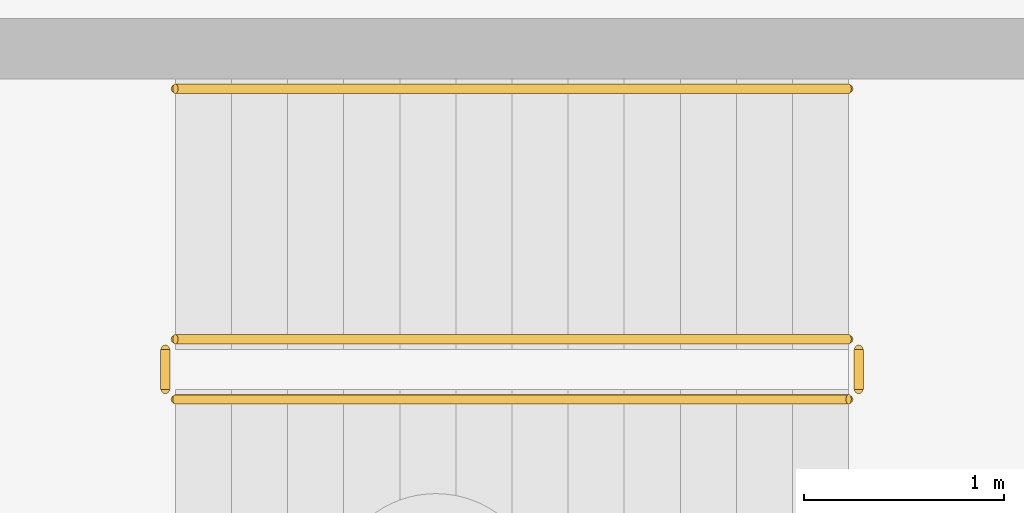
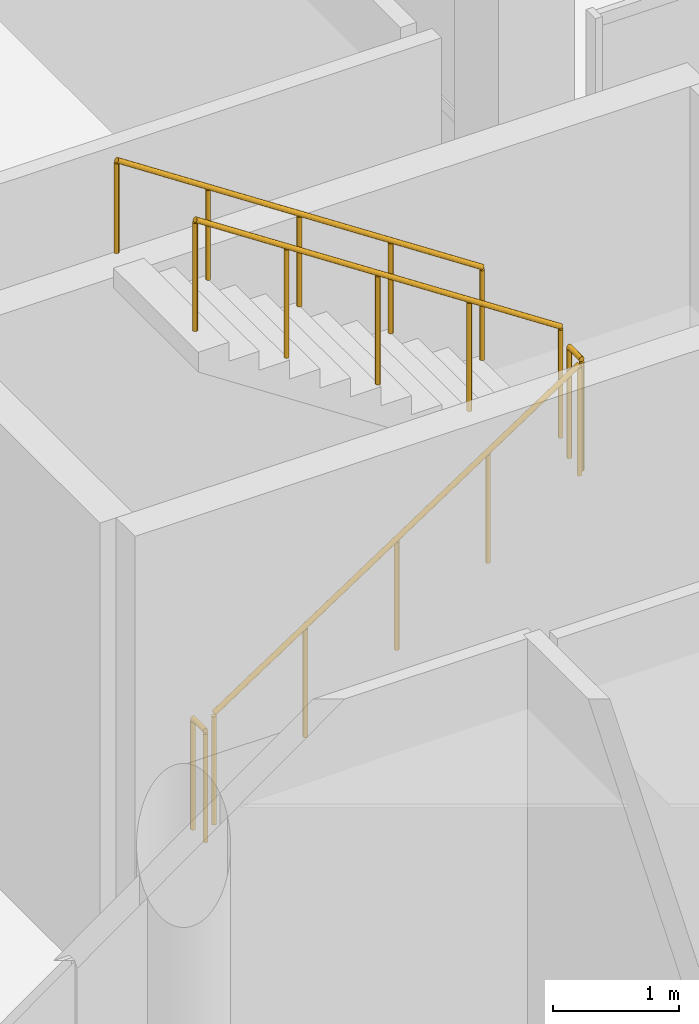
# One storey, part 274 of 285: 5 railings.
"""IFC4 building model written with IfcOpenShell, lengths in metres."""

from ifc_helpers import new_model, si_unit, direction, frame, origin, origin_2d, place, context, subcontext, project, spatial, circle, extrude, material, layer, layer_set, type_object, element, save


model = new_model("IFC4")

# Units and contexts
model_context = context("Model", 3, precision=1e-05, world=origin(), true_north=direction((0.0, 1.0)))
body_context = subcontext(model_context, "Body", "Model", "MODEL_VIEW")
ifc_project = project(units=[si_unit("LENGTHUNIT", "METRE"), si_unit("AREAUNIT", "SQUARE_METRE"), si_unit("VOLUMEUNIT", "CUBIC_METRE"), si_unit("PLANEANGLEUNIT", "RADIAN"), si_unit("MASSUNIT", "GRAM", prefix="KILO")], contexts=[model_context])

# Site, building, storey
site_placement = place(None, origin())
site = spatial("IfcSite", under=ifc_project, at=site_placement, CompositionType="ELEMENT")
building_placement = place(site_placement, origin())
building = spatial("IfcBuilding", under=site, at=building_placement, Name="Solanera Park Tramway Depot", CompositionType="ELEMENT")
storey_placement = place(building_placement, origin())
storey = spatial("IfcBuildingStorey", under=building, at=storey_placement, Name="L00", CompositionType="ELEMENT", Elevation=0.0)

# Railings
ifc_material_1 = material(Name="Brushed stainless steel 316 handrail", Category="steel")
ifc_layer_1 = layer(ifc_material_1, 0.050048828125)
ifc_layer_set_1 = layer_set([ifc_layer_1], Name="Brushed stainless steel 316 handrail")
railing_type_1 = type_object("IfcRailingType", Name="Stair Pitch Tubular Handrail 920", PredefinedType="HANDRAIL", material=ifc_layer_set_1)
railing_1_placement = place(storey_placement, frame((120.860107421875, 23.050048828125, 2.584716796875)))
element("IfcRailing", 1, at=railing_1_placement, inside=storey, type_object=railing_type_1, Name="ST-01 L00 Pitch Handrail 2", PredefinedType="HANDRAIL", context=body_context, shape_type="SweptSolid", body=[
    extrude(circle(Radius=0.02392578125, at=origin_2d()), frame((0.0, 0.0, 0.89599609375), z_axis=(-0.834876476806, 0.0, 0.550437342915), x_axis=(0.0, -1.0, 0.0)), (0.0, 0.0, 1.0), 4.024658203125),
    extrude(circle(Radius=0.02099609375, at=origin_2d()), origin(), (0.0, 0.0, 1.0), 0.871826171875),
    extrude(circle(Radius=0.02099609375, at=origin_2d()), frame((-0.840087890625, 0.0, 0.5537109375)), (0.0, 0.0, 1.0), 0.871826171875),
    extrude(circle(Radius=0.02099609375, at=origin_2d()), frame((-1.68017578125, 0.0, 1.107666015625)), (0.0, 0.0, 1.0), 0.871826171875),
    extrude(circle(Radius=0.02099609375, at=origin_2d()), frame((-2.52001953125, 0.0, 1.66162109375)), (0.0, 0.0, 1.0), 0.871826171875),
    extrude(circle(Radius=0.02099609375, at=origin_2d()), frame((-3.360107421875, 0.0, 2.21533203125)), (0.0, 0.0, 1.0), 0.871826171875),
])
ifc_material_2 = material(Name="Steel AS/NZS 1163 Grade C350L0", Category="steel")
ifc_layer_2 = layer(ifc_material_2, 0.06005859375)
ifc_layer_set_2 = layer_set([ifc_layer_2], Name="Steel AS/NZS 1163 Grade C350L0")
railing_type_2 = type_object("IfcRailingType", Name="Stairwell Guardrail 1100", PredefinedType="GUARDRAIL", material=ifc_layer_set_2)
railing_2_placement = place(storey_placement, frame((117.5, 21.5, 0.1845703125)))
element("IfcRailing", 2, at=railing_2_placement, inside=storey, type_object=railing_type_2, Name="ST-01 L00 Well Guard 1", PredefinedType="GUARDRAIL", context=body_context, shape_type="SweptSolid", body=[
    extrude(circle(Radius=0.02392578125, at=origin_2d()), frame((0.0, 0.0, 1.076171875), z_axis=(0.834876476806, 0.0, 0.550437342915), x_axis=(0.0, 1.0, 0.0)), (0.0, 0.0, 1.0), 4.024658203125),
    extrude(circle(Radius=0.02099609375, at=origin_2d()), origin(), (0.0, 0.0, 1.0), 1.052001953125),
    extrude(circle(Radius=0.02099609375, at=origin_2d()), frame((0.840087890625, 0.0, 0.5537109375)), (0.0, 0.0, 1.0), 1.052001953125),
    extrude(circle(Radius=0.02099609375, at=origin_2d()), frame((1.68017578125, 0.0, 1.107666015625)), (0.0, 0.0, 1.0), 1.052001953125),
    extrude(circle(Radius=0.02099609375, at=origin_2d()), frame((2.52001953125, 0.0, 1.66162109375)), (0.0, 0.0, 1.0), 1.052001953125),
    extrude(circle(Radius=0.02099609375, at=origin_2d()), frame((3.360107421875, 0.0, 2.21533203125)), (0.0, 0.0, 1.0), 1.052001953125),
])
railing_3_placement = place(storey_placement, frame((120.909912109375, 21.550048828125, 2.39990234375)))
element("IfcRailing", 3, at=railing_3_placement, inside=storey, type_object=railing_type_2, Name="ST-01 L00 Well Guard 2", PredefinedType="GUARDRAIL", context=body_context, shape_type="SweptSolid", body=[
    extrude(circle(Radius=0.02392578125, at=origin_2d()), frame((0.0, 0.0, 1.076171875), z_axis=(0.0, 1.0, 0.0), x_axis=(-1.0, 0.0, 0.0)), (0.0, 0.0, 1.0), 0.199951171875),
    extrude(circle(Radius=0.02099609375, at=origin_2d()), origin(), (0.0, 0.0, 1.0), 1.052001953125),
    extrude(circle(Radius=0.02099609375, at=origin_2d()), frame((0.0, 0.199951171875, 0.0)), (0.0, 0.0, 1.0), 1.052001953125),
])
railing_4_placement = place(storey_placement, frame((120.860107421875, 21.800048828125, 2.584716796875)))
element("IfcRailing", 4, at=railing_4_placement, inside=storey, type_object=railing_type_2, Name="ST-01 L00 Well Guard 3", PredefinedType="GUARDRAIL", context=body_context, shape_type="SweptSolid", body=[
    extrude(circle(Radius=0.02392578125, at=origin_2d()), frame((0.0, 0.0, 1.076171875), z_axis=(-0.834876476806, 0.0, 0.550437342915), x_axis=(0.0, -1.0, 0.0)), (0.0, 0.0, 1.0), 4.024658203125),
    extrude(circle(Radius=0.02099609375, at=origin_2d()), origin(), (0.0, 0.0, 1.0), 1.052001953125),
    extrude(circle(Radius=0.02099609375, at=origin_2d()), frame((-0.840087890625, 0.0, 0.5537109375)), (0.0, 0.0, 1.0), 1.052001953125),
    extrude(circle(Radius=0.02099609375, at=origin_2d()), frame((-1.68017578125, 0.0, 1.107666015625)), (0.0, 0.0, 1.0), 1.052001953125),
    extrude(circle(Radius=0.02099609375, at=origin_2d()), frame((-2.52001953125, 0.0, 1.66162109375)), (0.0, 0.0, 1.0), 1.052001953125),
    extrude(circle(Radius=0.02099609375, at=origin_2d()), frame((-3.360107421875, 0.0, 2.21533203125)), (0.0, 0.0, 1.0), 1.052001953125),
])
railing_5_placement = place(storey_placement, frame((117.449951171875, 21.550048828125, 0.0)))
element("IfcRailing", 5, at=railing_5_placement, inside=storey, type_object=railing_type_2, Name="ST-01 L00 Well Guard 4", PredefinedType="GUARDRAIL", context=body_context, shape_type="SweptSolid", body=[
    extrude(circle(Radius=0.02392578125, at=origin_2d()), frame((0.0, 0.0, 1.076171875), z_axis=(0.0, 1.0, 0.0), x_axis=(-1.0, 0.0, 0.0)), (0.0, 0.0, 1.0), 0.199951171875),
    extrude(circle(Radius=0.02099609375, at=origin_2d()), origin(), (0.0, 0.0, 1.0), 1.052001953125),
    extrude(circle(Radius=0.02099609375, at=origin_2d()), frame((0.0, 0.199951171875, 0.0)), (0.0, 0.0, 1.0), 1.052001953125),
])

save(model, "model.ifc")
